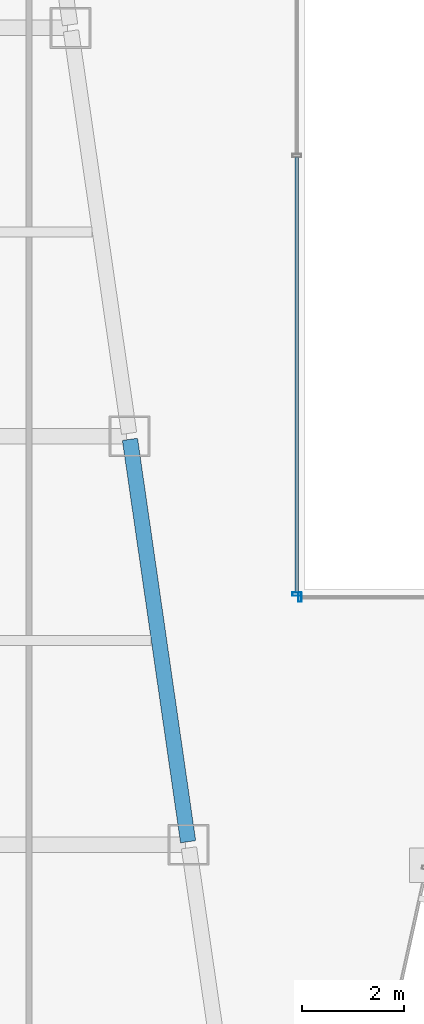
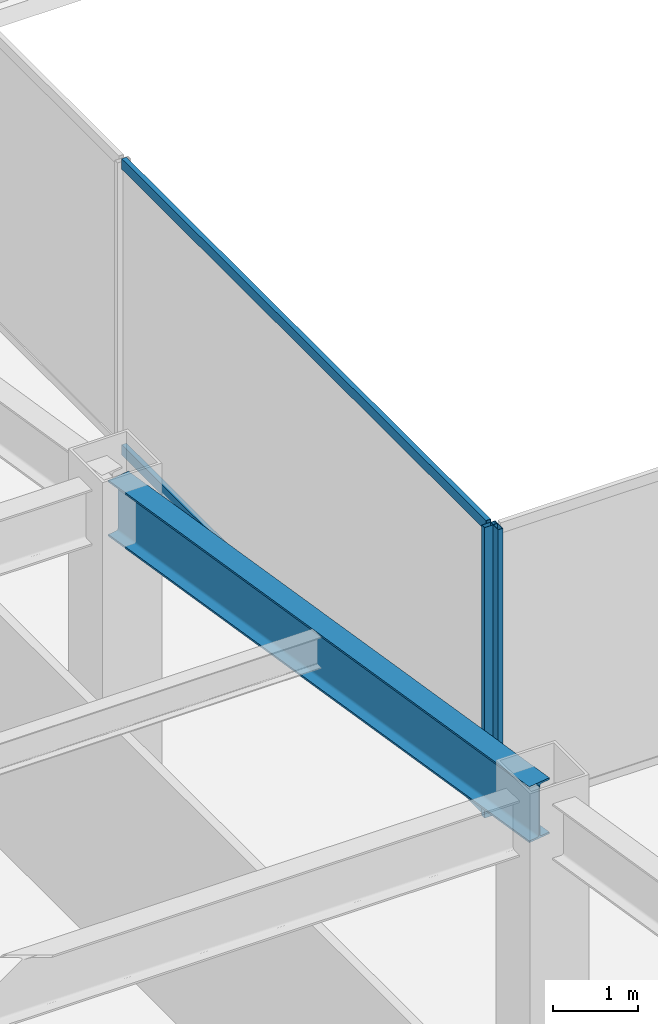
# One storey, part 12 of 47: 4 members, 1 beam, 2 elements without a shape of their own.
"""IFC4 building model written with IfcOpenShell, lengths in metres."""

from ifc_helpers import new_model, si_unit, direction, frame, origin, origin_2d, place, context, subcontext, project, spatial, hollow_rectangle, i_section, extrude, material, material_profile, profile_set, type_object, element, aggregate, save


model = new_model("IFC4")

# Units and contexts
model_context = context("Model", 3, precision=1e-05, world=origin(), true_north=direction((0.0, 1.0)))
body_context = subcontext(model_context, "Body", "Model", "MODEL_VIEW")
ifc_project = project(units=[si_unit("LENGTHUNIT", "METRE"), si_unit("AREAUNIT", "SQUARE_METRE"), si_unit("VOLUMEUNIT", "CUBIC_METRE"), si_unit("PLANEANGLEUNIT", "RADIAN"), si_unit("MASSUNIT", "GRAM", prefix="KILO")], contexts=[model_context])

# Site, building, storey
site_placement = place(None, origin())
site = spatial("IfcSite", under=ifc_project, at=site_placement, CompositionType="ELEMENT")
building_placement = place(site_placement, origin())
building = spatial("IfcBuilding", under=site, at=building_placement, Name="Saevonmaru Cultural Tower", CompositionType="ELEMENT")
storey_placement = place(building_placement, frame((0.0, 0.0, 51.60009765625)))
storey = spatial("IfcBuildingStorey", under=building, at=storey_placement, Name="L10", CompositionType="ELEMENT", Elevation=51.60009765625)

# Beam
ifc_material_1 = material(Name="Steel SM420", Category="steel")
ifc_material_profile_1 = material_profile(ifc_material_1, i_section(OverallWidth=0.300048828125, OverallDepth=0.800048828125, WebThickness=0.013916015625, FlangeThickness=0.02587890625, FilletRadius=0.028076171875, at=origin_2d()), Name="H-800x300x14x26")
ifc_profile_set_1 = profile_set([ifc_material_profile_1], Name="Steel SM420")
beam_type = type_object("IfcBeamType", Name="BM-G-H800", PredefinedType="BEAM", material=ifc_profile_set_1)
beam_placement = place(storey_placement, frame((21.91943359375, 16.059326171875, 3.75), z_axis=(-0.143022161059, 0.989719486241, 0.0), x_axis=(-0.989719486241, -0.143022161059, 0.0)))
element("IfcBeam", 1, at=beam_placement, inside=storey, type_object=beam_type, Name="L10 West Atrium Girder 3", PredefinedType="BEAM", context=body_context, shape_type="SweptSolid", body=[
    extrude(i_section(OverallWidth=0.300048828125, OverallDepth=0.800048828125, WebThickness=0.013916015625, FlangeThickness=0.02587890625, FilletRadius=0.028076171875, at=origin_2d()), origin(), (0.0, 0.0, 1.0), 7.963134765625),
])

# Curtain wall, member
ifc_material_2 = material(Name="Satin Bronze Anodised Aluminium", Category="aluminium")
curtain_wall_type = type_object("IfcCurtainWallType", Name="CW-ATR-GLZ", PredefinedType="NOTDEFINED", material=ifc_material_2)
curtain_wall_1_placement = place(storey_placement, origin())
curtain_wall_1 = element("IfcCurtainWall", 2, at=curtain_wall_1_placement, inside=storey, type_object=curtain_wall_type, Name="L10 Vertical Atrium Glazed Smoke Screen 1", PredefinedType="NOTDEFINED")
ifc_material_profile_2 = material_profile(ifc_material_2, hollow_rectangle(XDim=0.06494140625, YDim=0.179931640625, WallThickness=0.00390625, at=origin_2d()), Name="ALU-MULL-180x65x4")
ifc_profile_set_2 = profile_set([ifc_material_profile_2], Name="Satin Bronze Anodised Aluminium")
member_type_1 = type_object("IfcMemberType", Name="ML-CW-INT-180x65", PredefinedType="MULLION", material=ifc_profile_set_2)
member_1_placement = place(storey_placement, frame((24.110107421875, 20.85009765625, 0.0), z_axis=(0.0, 0.0, 1.0), x_axis=(1.0, 0.0, 0.0)))
member_1 = element("IfcMember", 3, at=member_1_placement, type_object=member_type_1, Name="CW-ATR-L10-1 mullion 1", PredefinedType="MULLION", context=body_context, shape_type="SweptSolid", body=[
    extrude(hollow_rectangle(XDim=0.06494140625, YDim=0.179931640625, WallThickness=0.00390625, at=origin_2d()), origin(), (0.0, 0.0, 1.0), 4.14990234375),
])
aggregate(curtain_wall_1, [member_1])

# Curtain wall, members
curtain_wall_2_placement = place(storey_placement, origin())
curtain_wall_2 = element("IfcCurtainWall", 4, at=curtain_wall_2_placement, inside=storey, type_object=curtain_wall_type, Name="L10 Vertical Atrium Glazed Smoke Screen 4", PredefinedType="NOTDEFINED")
member_2_placement = place(storey_placement, frame((24.050048828125, 20.909912109375, 0.0), z_axis=(0.0, 0.0, 1.0), x_axis=(0.0, -1.0, 0.0)))
member_2 = element("IfcMember", 5, at=member_2_placement, type_object=member_type_1, Name="CW-ATR-L10-4 mullion 3", PredefinedType="MULLION", context=body_context, shape_type="SweptSolid", body=[
    extrude(hollow_rectangle(XDim=0.06494140625, YDim=0.179931640625, WallThickness=0.00390625, at=origin_2d()), origin(), (0.0, 0.0, 1.0), 4.14990234375),
])
ifc_material_profile_3 = material_profile(ifc_material_2, hollow_rectangle(XDim=0.06494140625, YDim=0.14990234375, WallThickness=0.00390625, at=origin_2d()), Name="ALU-TRAN-150x65x4")
ifc_profile_set_3 = profile_set([ifc_material_profile_3], Name="Satin Bronze Anodised Aluminium")
member_type_2 = type_object("IfcMemberType", Name="TR-CW-INT-150x65", PredefinedType="USERDEFINED", material=ifc_profile_set_3)
member_3_placement = place(storey_placement, frame((24.050048828125, 29.467529296875, 0.032470703125), z_axis=(0.0, -1.0, 0.0), x_axis=(1.0, 0.0, 0.0)))
member_3 = element("IfcMember", 6, at=member_3_placement, type_object=member_type_2, Name="CW-ATR-L10-4 transom 2.1", ObjectType="TRANSOM", PredefinedType="USERDEFINED", context=body_context, shape_type="SweptSolid", body=[
    extrude(hollow_rectangle(XDim=0.06494140625, YDim=0.14990234375, WallThickness=0.00390625, at=origin_2d()), origin(), (0.0, 0.0, 1.0), 8.525146484375),
])
member_4_placement = place(storey_placement, frame((24.050048828125, 29.467529296875, 4.117431640625), z_axis=(0.0, -1.0, 0.0), x_axis=(1.0, 0.0, 0.0)))
member_4 = element("IfcMember", 7, at=member_4_placement, type_object=member_type_2, Name="CW-ATR-L10-4 transom 2.2", ObjectType="TRANSOM", PredefinedType="USERDEFINED", context=body_context, shape_type="SweptSolid", body=[
    extrude(hollow_rectangle(XDim=0.06494140625, YDim=0.14990234375, WallThickness=0.00390625, at=origin_2d()), origin(), (0.0, 0.0, 1.0), 8.525146484375),
])
aggregate(curtain_wall_2, [member_2, member_3, member_4])

save(model, "model.ifc")
